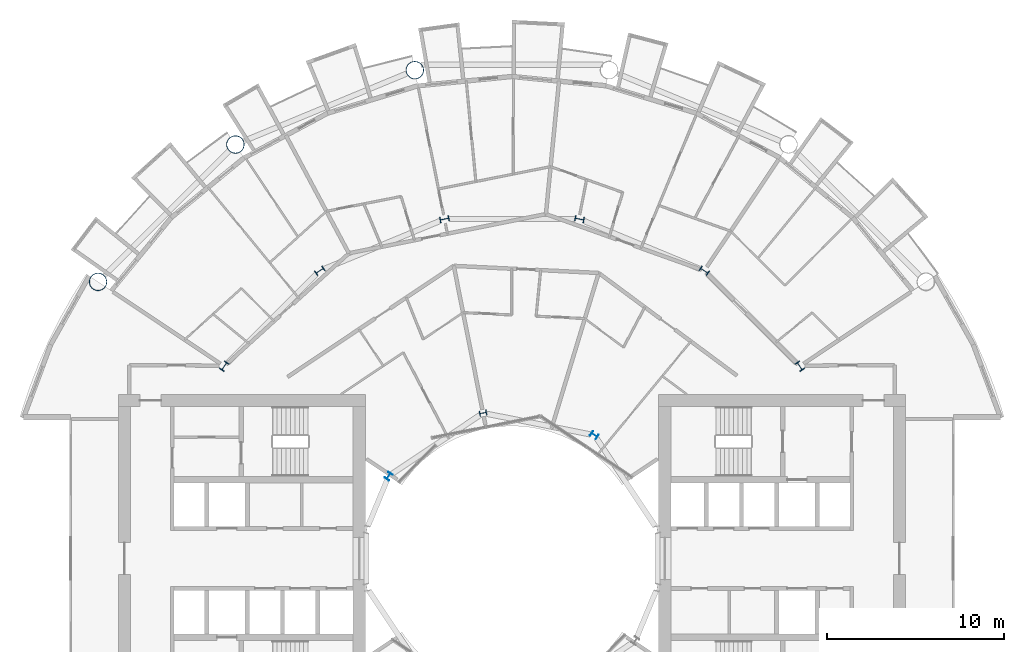
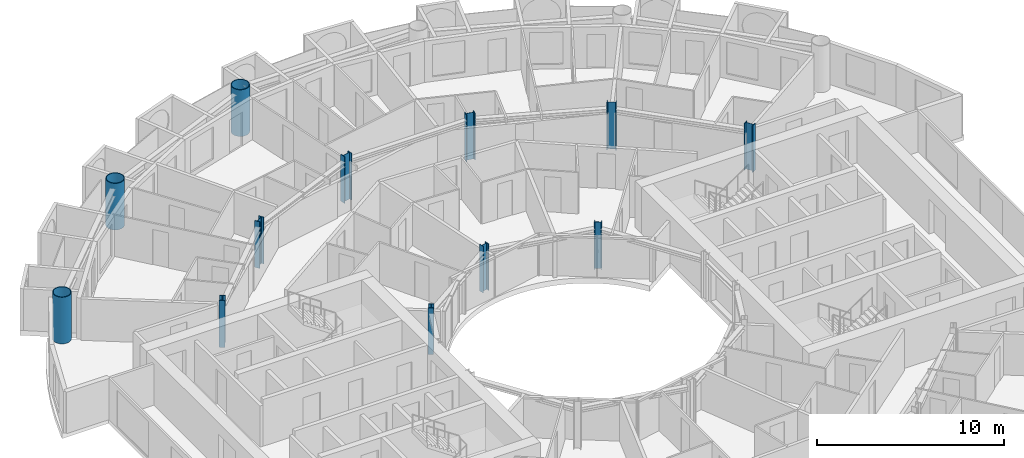
# One storey, part 3 of 26: 12 columns.
"""IFC4 building model written with IfcOpenShell, lengths in metres."""

from ifc_helpers import new_model, si_unit, direction, frame, origin, origin_2d, place, context, subcontext, project, spatial, hollow_circle, i_section, extrude, material, material_profile, profile_set, type_object, element, save


model = new_model("IFC4")

# Units and contexts
model_context = context("Model", 3, precision=1e-05, world=origin(), true_north=direction((0.0, 1.0)))
body_context = subcontext(model_context, "Body", "Model", "MODEL_VIEW")
ifc_project = project(units=[si_unit("LENGTHUNIT", "METRE"), si_unit("AREAUNIT", "SQUARE_METRE"), si_unit("VOLUMEUNIT", "CUBIC_METRE"), si_unit("PLANEANGLEUNIT", "RADIAN"), si_unit("MASSUNIT", "GRAM", prefix="KILO")], contexts=[model_context])

# Site, building, storey
site_placement = place(None, origin())
site = spatial("IfcSite", under=ifc_project, at=site_placement, CompositionType="ELEMENT")
building_placement = place(site_placement, origin())
building = spatial("IfcBuilding", under=site, at=building_placement, Name="Maasbend Ring Residences", CompositionType="ELEMENT")
storey_placement = place(building_placement, frame((0.0, 0.0, 63.60009765625)))
storey = spatial("IfcBuildingStorey", under=building, at=storey_placement, Name="L17", CompositionType="ELEMENT", Elevation=63.60009765625)

# Columns
ifc_material_1 = material(Name="Composite concrete-filled steel tube S460NH / C80/95", Category="concrete")
ifc_material_profile_1 = material_profile(ifc_material_1, hollow_circle(Radius=0.508056640625, WallThickness=0.0400390625, at=origin_2d()), Name="Composite tube column CHS 1016x40")
ifc_profile_set_1 = profile_set([ifc_material_profile_1], Name="Composite concrete-filled steel tube S460NH / C80/95")
column_type_1 = type_object("IfcColumnType", Name="Composite tube column CHS 1016x40", PredefinedType="COLUMN", material=ifc_profile_set_1)
for number, where, z_axis, x_axis, name in (
    (1, (-5.50146484375, 27.658203125, 0.0), (0.0, 0.0, 1.0), (1.0, 0.0, 0.0), "Outer column R5"),
    (2, (-15.6669921875, 23.447509765625, 0.0), (0.0, 0.0, 1.0), (1.0, 0.0, 0.0), "Outer column R6"),
    (3, (-23.447509765625, 15.6669921875, 0.0), (0.0, 0.0, 1.0), (1.0, 0.0, 0.0), "Outer column R7"),
):
    element("IfcColumn", number, at=place(storey_placement, frame(where, z_axis=z_axis, x_axis=x_axis)), inside=storey, type_object=column_type_1, Name=name, PredefinedType="COLUMN", context=body_context, shape_type="SweptSolid", body=[
        extrude(hollow_circle(Radius=0.508056640625, WallThickness=0.0400390625, at=origin_2d()), origin(), (0.0, 0.0, 1.0), 3.0498046875),
    ])
ifc_material_2 = material(Name="Steel S355J2", Category="steel")
ifc_material_profile_2 = material_profile(ifc_material_2, i_section(OverallWidth=0.300048828125, OverallDepth=0.39990234375, WebThickness=0.013427734375, FlangeThickness=0.02392578125, FilletRadius=0.027099609375, at=origin_2d()), Name="HEB 400")
ifc_profile_set_2 = profile_set([ifc_material_profile_2], Name="Steel S355J2")
column_type_2 = type_object("IfcColumnType", Name="Steel column HEB 400", PredefinedType="COLUMN", material=ifc_profile_set_2)
for number, where, z_axis, x_axis, name in (
    (4, (4.666748046875, 6.984375, 0.0), (0.0, 0.0, 1.0), (0.55557023302, 0.831469612303, 0.0), "Well ring column R3"),
    (5, (-1.638916015625, 8.238525390625, 0.0), (0.0, 0.0, 1.0), (-0.195090322016, 0.980785280403, 0.0), "Well ring column R5"),
    (6, (-6.984375, 4.666748046875, 0.0), (0.0, 0.0, 1.0), (-0.831469612303, 0.55557023302, 0.0), "Well ring column R7"),
):
    element("IfcColumn", number, at=place(storey_placement, frame(where, z_axis=z_axis, x_axis=x_axis)), inside=storey, type_object=column_type_2, Name=name, PredefinedType="COLUMN", context=body_context, shape_type="SweptSolid", body=[
        extrude(i_section(OverallWidth=0.300048828125, OverallDepth=0.39990234375, WebThickness=0.013427734375, FlangeThickness=0.02392578125, FilletRadius=0.027099609375, at=origin_2d()), origin(), (0.0, 0.0, 1.0), 3.0498046875),
    ])
ifc_material_3 = material(Name="Steel S460M", Category="steel")
ifc_material_profile_3 = material_profile(ifc_material_3, i_section(OverallWidth=0.305908203125, OverallDepth=0.52392578125, WebThickness=0.02099609375, FlangeThickness=0.0400390625, FilletRadius=0.027099609375, at=origin_2d()), Name="HEM 500")
ifc_profile_set_3 = profile_set([ifc_material_profile_3], Name="Steel S460M")
column_type_3 = type_object("IfcColumnType", Name="Steel column HEM 500", PredefinedType="COLUMN", material=ifc_profile_set_3)
for number, where, z_axis, x_axis, name in (
    (7, (16.296875, 10.88916015625, 0.0), (0.0, 0.0, 1.0), (0.831469612303, 0.55557023302, 0.0), "Corridor ring column R2"),
    (8, (10.88916015625, 16.296875, 0.0), (0.0, 0.0, 1.0), (0.55557023302, 0.831469612303, 0.0), "Corridor ring column R3"),
    (9, (3.82373046875, 19.223388671875, 0.0), (0.0, 0.0, 1.0), (0.195090322016, 0.980785280403, 0.0), "Corridor ring column R4"),
    (10, (-3.82373046875, 19.223388671875, 0.0), (0.0, 0.0, 1.0), (-0.195090322016, 0.980785280403, 0.0), "Corridor ring column R5"),
    (11, (-10.88916015625, 16.296875, 0.0), (0.0, 0.0, 1.0), (-0.55557023302, 0.831469612303, 0.0), "Corridor ring column R6"),
    (12, (-16.296875, 10.88916015625, 0.0), (0.0, 0.0, 1.0), (-0.831469612303, 0.55557023302, 0.0), "Corridor ring column R7"),
):
    element("IfcColumn", number, at=place(storey_placement, frame(where, z_axis=z_axis, x_axis=x_axis)), inside=storey, type_object=column_type_3, Name=name, PredefinedType="COLUMN", context=body_context, shape_type="SweptSolid", body=[
        extrude(i_section(OverallWidth=0.305908203125, OverallDepth=0.52392578125, WebThickness=0.02099609375, FlangeThickness=0.0400390625, FilletRadius=0.027099609375, at=origin_2d()), origin(), (0.0, 0.0, 1.0), 3.0498046875),
    ])

save(model, "model.ifc")
